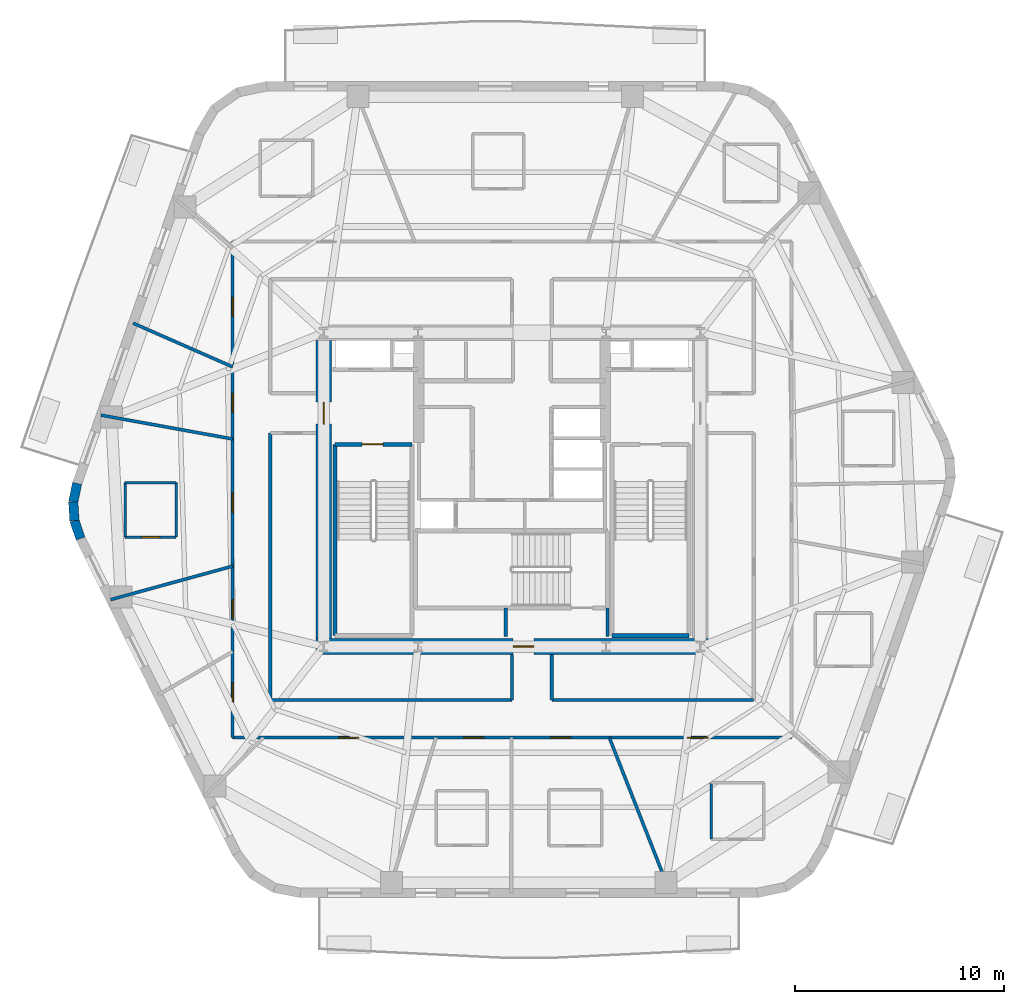
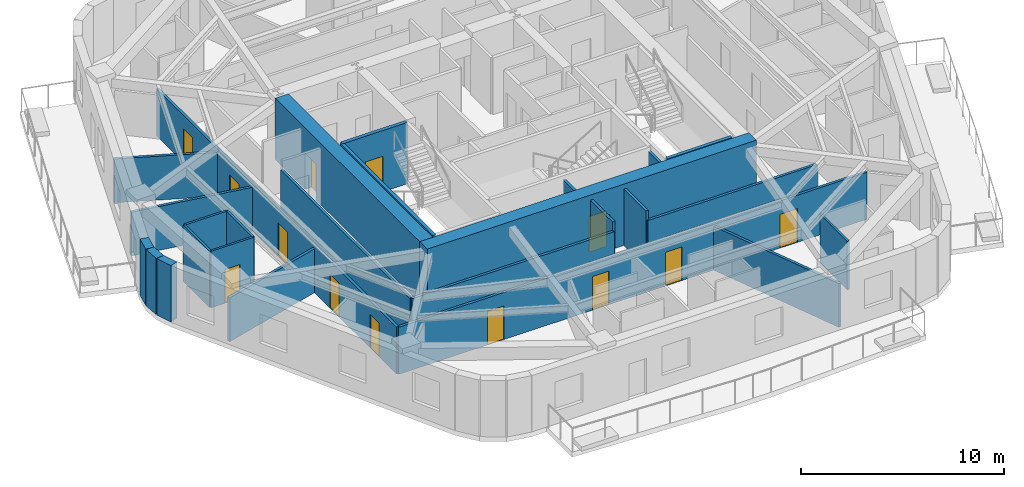
# One storey, part 3 of 11: 26 walls, 13 doors, 13 openings.
"""IFC4 building model written with IfcOpenShell, lengths in metres."""

from ifc_helpers import new_model, si_unit, direction, frame, frame_2d, origin, place, context, subcontext, project, spatial, rectangle, extrude, material, layer, layer_set, type_object, element, fill, save


model = new_model("IFC4")

# Units and contexts
model_context = context("Model", 3, precision=1e-05, world=origin(), true_north=direction((0.0, 1.0)))
body_context = subcontext(model_context, "Body", "Model", "MODEL_VIEW")
ifc_project = project(units=[si_unit("LENGTHUNIT", "METRE"), si_unit("AREAUNIT", "SQUARE_METRE"), si_unit("VOLUMEUNIT", "CUBIC_METRE"), si_unit("PLANEANGLEUNIT", "RADIAN"), si_unit("MASSUNIT", "GRAM", prefix="KILO")], contexts=[model_context])

# Site, building, storey
site_placement = place(None, origin())
site = spatial("IfcSite", under=ifc_project, at=site_placement, CompositionType="ELEMENT")
building_placement = place(site_placement, origin())
building = spatial("IfcBuilding", under=site, at=building_placement, Name="Kilnhurst Terrace Hotel", CompositionType="ELEMENT")
storey_placement = place(building_placement, frame((0.0, 0.0, 194.10009765625)))
storey = spatial("IfcBuildingStorey", under=building, at=storey_placement, Name="L48", CompositionType="ELEMENT", Elevation=194.10009765625)

# Walls
ifc_material_1 = material(Name="Precast concrete C40/50", Category="concrete")
ifc_layer_1 = layer(ifc_material_1, 0.449951171875, Name="Precast concrete C40/50")
ifc_layer_set_1 = layer_set([ifc_layer_1], Name="Precast concrete C40/50")
wall_type_1 = type_object("IfcWallType", Name="WL-BRK-450", PredefinedType="SOLIDWALL", material=ifc_layer_set_1)
wall_1_placement = place(storey_placement, frame((-20.78173828125, 0.298095703125, 0.0), z_axis=(0.0, 0.0, 1.0), x_axis=(-0.202570068411, -0.979267771033, 0.0)))
element("IfcWall", 1, at=wall_1_placement, inside=storey, type_object=wall_type_1, Name="L48 Rounded Corner Brick Wall C6.1", PredefinedType="SOLIDWALL", context=body_context, shape_type="SweptSolid", body=[
    extrude(rectangle(XDim=0.90869140625, YDim=0.449951171875, at=frame_2d((0.454345703125, 0.0))), origin(), (0.0, 0.0, 1.0), 3.39990234375),
])
wall_2_placement = place(storey_placement, frame((-20.9658203125, -0.591796875, 0.0), z_axis=(0.0, 0.0, 1.0), x_axis=(0.061748898935, -0.998091715966, 0.0)))
element("IfcWall", 2, at=wall_2_placement, inside=storey, type_object=wall_type_1, Name="L48 Rounded Corner Brick Wall C6.2", PredefinedType="SOLIDWALL", context=body_context, shape_type="SweptSolid", body=[
    extrude(rectangle(XDim=0.8935546875, YDim=0.449951171875, at=frame_2d((0.44677734375, 0.0))), origin(), (0.0, 0.0, 1.0), 3.39990234375),
])
wall_3_placement = place(storey_placement, frame((-20.91064453125, -1.483642578125, 0.0), z_axis=(0.0, 0.0, 1.0), x_axis=(0.321623334353, -0.946867694453, 0.0)))
element("IfcWall", 3, at=wall_3_placement, inside=storey, type_object=wall_type_1, Name="L48 Rounded Corner Brick Wall C6.3", PredefinedType="SOLIDWALL", context=body_context, shape_type="SweptSolid", body=[
    extrude(rectangle(XDim=0.90869140625, YDim=0.449951171875, at=frame_2d((0.454345703125, 0.0))), origin(), (0.0, 0.0, 1.0), 3.39990234375),
])

# Wall, openings, doors
ifc_material_2 = material(Name="Acoustic Double-Gypsum Corridor Partition Assembly")
ifc_layer_2 = layer(ifc_material_2, 0.14990234375, Name="Acoustic Double-Gypsum Corridor Partition Assembly")
ifc_layer_set_2 = layer_set([ifc_layer_2], Name="Acoustic Double-Gypsum Corridor Partition Assembly")
wall_type_2 = type_object("IfcWallType", Name="WL-COR-150", PredefinedType="PARTITIONING", material=ifc_layer_set_2)
wall_4_placement = place(storey_placement, frame((13.35009765625, -11.85009765625, 0.0), z_axis=(0.0, 0.0, 1.0), x_axis=(-1.0, 0.0, 0.0)))
wall_4 = element("IfcWall", 4, at=wall_4_placement, inside=storey, type_object=wall_type_2, Name="L48 Interior Wall WL-L48-COR-01", PredefinedType="PARTITIONING", context=body_context, shape_type="SweptSolid", body=[
    extrude(rectangle(XDim=26.7001953125, YDim=0.14990234375, at=frame_2d((13.35009765625, 0.0))), origin(), (0.0, 0.0, 1.0), 2.83984375),
])
opening_1_placement = place(wall_4_placement, frame((20.681884765625, 0.0, 0.0)))
opening_1 = element("IfcOpeningElement", 5, at=opening_1_placement, cuts=wall_4, Name="Opening D-60B", PredefinedType="OPENING", context=body_context, shape_type="SweptSolid", body=[
    extrude(rectangle(XDim=0.949951171875, YDim=2.030029296875, at=frame_2d((0.47509765625, 1.01513671875))), frame((0.0, 0.0849609375, 0.0), z_axis=(0.0, -1.0, 0.0), x_axis=(1.0, 0.0, 0.0)), (0.0, 0.0, 1.0), 0.169921875),
])
opening_2_placement = place(wall_4_placement, frame((14.7080078125, 0.0, 0.0)))
opening_2 = element("IfcOpeningElement", 6, at=opening_2_placement, cuts=wall_4, Name="Opening D-60B", PredefinedType="OPENING", context=body_context, shape_type="SweptSolid", body=[
    extrude(rectangle(XDim=0.949951171875, YDim=2.030029296875, at=frame_2d((0.47509765625, 1.01513671875))), frame((0.0, 0.0849609375, 0.0), z_axis=(0.0, -1.0, 0.0), x_axis=(1.0, 0.0, 0.0)), (0.0, 0.0, 1.0), 0.169921875),
])
opening_3_placement = place(wall_4_placement, frame((10.552978515625, 0.0, 0.0)))
opening_3 = element("IfcOpeningElement", 7, at=opening_3_placement, cuts=wall_4, Name="Opening D-60B", PredefinedType="OPENING", context=body_context, shape_type="SweptSolid", body=[
    extrude(rectangle(XDim=0.949951171875, YDim=2.030029296875, at=frame_2d((0.47509765625, 1.01513671875))), frame((0.0, 0.0849609375, 0.0), z_axis=(0.0, -1.0, 0.0), x_axis=(1.0, 0.0, 0.0)), (0.0, 0.0, 1.0), 0.169921875),
])
opening_4_placement = place(wall_4_placement, frame((3.969970703125, 0.0, 0.0)))
opening_4 = element("IfcOpeningElement", 8, at=opening_4_placement, cuts=wall_4, Name="Opening D-60A", PredefinedType="OPENING", context=body_context, shape_type="SweptSolid", body=[
    extrude(rectangle(XDim=1.0, YDim=2.030029296875, at=frame_2d((0.5, 1.01513671875))), frame((0.0, 0.0849609375, 0.0), z_axis=(0.0, -1.0, 0.0), x_axis=(1.0, 0.0, 0.0)), (0.0, 0.0, 1.0), 0.169921875),
])
ifc_material_3 = material(Name="Acoustic Walnut Veneer Solid-Core Fire Door")
door_type_1 = type_object("IfcDoorType", Name="DR-FD60-1000", OperationType="NOTDEFINED", PredefinedType="DOOR", material=ifc_material_3)
door_1_placement = place(opening_4_placement, origin())
door_1 = element("IfcDoor", 9, at=door_1_placement, inside=storey, type_object=door_type_1, Name="L48 Sky Residence Entry Door 15", OperationType="SINGLE_SWING_LEFT", OverallHeight=2.030029296875, OverallWidth=1.0, PredefinedType="DOOR", context=body_context, shape_type="SweptSolid", body=[
    extrude(rectangle(XDim=1.0, YDim=2.030029296875, at=frame_2d((0.5, 1.01513671875))), frame((0.0, 0.02490234375, 0.0), z_axis=(0.0, -1.0, 0.0), x_axis=(1.0, 0.0, 0.0)), (0.0, 0.0, 1.0), 0.050048828125),
])
fill(opening_4, door_1)
door_type_2 = type_object("IfcDoorType", Name="DR-FD60-950", OperationType="NOTDEFINED", PredefinedType="DOOR", material=ifc_material_3)
door_2_placement = place(opening_1_placement, origin())
door_2 = element("IfcDoor", 10, at=door_2_placement, inside=storey, type_object=door_type_2, Name="L48 Botanical Study Library Door", OperationType="SINGLE_SWING_RIGHT", OverallHeight=2.030029296875, OverallWidth=0.949951171875, PredefinedType="DOOR", context=body_context, shape_type="SweptSolid", body=[
    extrude(rectangle(XDim=0.949951171875, YDim=2.030029296875, at=frame_2d((0.47509765625, 1.01513671875))), frame((0.0, 0.02490234375, 0.0), z_axis=(0.0, -1.0, 0.0), x_axis=(1.0, 0.0, 0.0)), (0.0, 0.0, 1.0), 0.050048828125),
])
fill(opening_1, door_2)
door_3_placement = place(opening_2_placement, origin())
door_3 = element("IfcDoor", 11, at=door_3_placement, inside=storey, type_object=door_type_2, Name="L48 Guest Room Entry Door 13", OperationType="SINGLE_SWING_LEFT", OverallHeight=2.030029296875, OverallWidth=0.949951171875, PredefinedType="DOOR", context=body_context, shape_type="SweptSolid", body=[
    extrude(rectangle(XDim=0.949951171875, YDim=2.030029296875, at=frame_2d((0.47509765625, 1.01513671875))), frame((0.0, 0.02490234375, 0.0), z_axis=(0.0, -1.0, 0.0), x_axis=(1.0, 0.0, 0.0)), (0.0, 0.0, 1.0), 0.050048828125),
])
fill(opening_2, door_3)
door_4_placement = place(opening_3_placement, origin())
door_4 = element("IfcDoor", 12, at=door_4_placement, inside=storey, type_object=door_type_2, Name="L48 Guest Room Entry Door 14", OperationType="SINGLE_SWING_RIGHT", OverallHeight=2.030029296875, OverallWidth=0.949951171875, PredefinedType="DOOR", context=body_context, shape_type="SweptSolid", body=[
    extrude(rectangle(XDim=0.949951171875, YDim=2.030029296875, at=frame_2d((0.47509765625, 1.01513671875))), frame((0.0, 0.02490234375, 0.0), z_axis=(0.0, -1.0, 0.0), x_axis=(1.0, 0.0, 0.0)), (0.0, 0.0, 1.0), 0.050048828125),
])
fill(opening_3, door_4)

wall_5_placement = place(storey_placement, frame((-13.35009765625, -11.85009765625, 0.0), z_axis=(0.0, 0.0, 1.0), x_axis=(0.0, 1.0, 0.0)))
wall_5 = element("IfcWall", 13, at=wall_5_placement, inside=storey, type_object=wall_type_2, Name="L48 Interior Wall WL-L48-COR-02", PredefinedType="PARTITIONING", context=body_context, shape_type="SweptSolid", body=[
    extrude(rectangle(XDim=23.7001953125, YDim=0.14990234375, at=frame_2d((11.85009765625, 0.0))), origin(), (0.0, 0.0, 1.0), 2.83984375),
])
opening_5_placement = place(wall_5_placement, frame((20.135986328125, 0.0, 0.0)))
opening_5 = element("IfcOpeningElement", 14, at=opening_5_placement, cuts=wall_5, Name="Opening D-60C", PredefinedType="OPENING", context=body_context, shape_type="SweptSolid", body=[
    extrude(rectangle(XDim=0.89990234375, YDim=2.030029296875, at=frame_2d((0.449951171875, 1.01513671875))), frame((0.0, 0.0849609375, 0.0), z_axis=(0.0, -1.0, 0.0), x_axis=(1.0, 0.0, 0.0)), (0.0, 0.0, 1.0), 0.169921875),
])
opening_6_placement = place(wall_5_placement, frame((15.551025390625, 0.0, 0.0)))
opening_6 = element("IfcOpeningElement", 15, at=opening_6_placement, cuts=wall_5, Name="Opening D-60C", PredefinedType="OPENING", context=body_context, shape_type="SweptSolid", body=[
    extrude(rectangle(XDim=0.89990234375, YDim=2.030029296875, at=frame_2d((0.449951171875, 1.01513671875))), frame((0.0, 0.0849609375, 0.0), z_axis=(0.0, -1.0, 0.0), x_axis=(1.0, 0.0, 0.0)), (0.0, 0.0, 1.0), 0.169921875),
])
opening_7_placement = place(wall_5_placement, frame((10.7509765625, 0.0, 0.0)))
opening_7 = element("IfcOpeningElement", 16, at=opening_7_placement, cuts=wall_5, Name="Opening D-60B", PredefinedType="OPENING", context=body_context, shape_type="SweptSolid", body=[
    extrude(rectangle(XDim=0.949951171875, YDim=2.030029296875, at=frame_2d((0.47509765625, 1.01513671875))), frame((0.0, 0.0849609375, 0.0), z_axis=(0.0, -1.0, 0.0), x_axis=(1.0, 0.0, 0.0)), (0.0, 0.0, 1.0), 0.169921875),
])
opening_8_placement = place(wall_5_placement, frame((5.677001953125, 0.0, 0.0)))
opening_8 = element("IfcOpeningElement", 17, at=opening_8_placement, cuts=wall_5, Name="Opening D-60C", PredefinedType="OPENING", context=body_context, shape_type="SweptSolid", body=[
    extrude(rectangle(XDim=0.89990234375, YDim=2.030029296875, at=frame_2d((0.449951171875, 1.01513671875))), frame((0.0, 0.0849609375, 0.0), z_axis=(0.0, -1.0, 0.0), x_axis=(1.0, 0.0, 0.0)), (0.0, 0.0, 1.0), 0.169921875),
])
opening_9_placement = place(wall_5_placement, frame((1.720947265625, 0.0, 0.0)))
opening_9 = element("IfcOpeningElement", 18, at=opening_9_placement, cuts=wall_5, Name="Opening D-60C", PredefinedType="OPENING", context=body_context, shape_type="SweptSolid", body=[
    extrude(rectangle(XDim=0.89990234375, YDim=2.030029296875, at=frame_2d((0.449951171875, 1.01513671875))), frame((0.0, 0.0849609375, 0.0), z_axis=(0.0, -1.0, 0.0), x_axis=(1.0, 0.0, 0.0)), (0.0, 0.0, 1.0), 0.169921875),
])
ifc_material_4 = material(Name="Painted Solid-Core Service Fire Door")
door_type_3 = type_object("IfcDoorType", Name="DR-FD60-900", OperationType="NOTDEFINED", PredefinedType="DOOR", material=ifc_material_4)
door_5_placement = place(opening_5_placement, origin())
door_5 = element("IfcDoor", 19, at=door_5_placement, inside=storey, type_object=door_type_3, Name="L48 Botanical Reading Lounge Door 7", OperationType="SINGLE_SWING_LEFT", OverallHeight=2.030029296875, OverallWidth=0.89990234375, PredefinedType="DOOR", context=body_context, shape_type="SweptSolid", body=[
    extrude(rectangle(XDim=0.89990234375, YDim=2.030029296875, at=frame_2d((0.449951171875, 1.01513671875))), frame((0.0, 0.02490234375, 0.0), z_axis=(0.0, -1.0, 0.0), x_axis=(1.0, 0.0, 0.0)), (0.0, 0.0, 1.0), 0.050048828125),
])
fill(opening_5, door_5)
door_6_placement = place(opening_6_placement, origin())
door_6 = element("IfcDoor", 20, at=door_6_placement, inside=storey, type_object=door_type_3, Name="L48 Private Meeting Salon Door 8", OperationType="SINGLE_SWING_RIGHT", OverallHeight=2.030029296875, OverallWidth=0.89990234375, PredefinedType="DOOR", context=body_context, shape_type="SweptSolid", body=[
    extrude(rectangle(XDim=0.89990234375, YDim=2.030029296875, at=frame_2d((0.449951171875, 1.01513671875))), frame((0.0, 0.02490234375, 0.0), z_axis=(0.0, -1.0, 0.0), x_axis=(1.0, 0.0, 0.0)), (0.0, 0.0, 1.0), 0.050048828125),
])
fill(opening_6, door_6)
door_7_placement = place(opening_8_placement, origin())
door_7 = element("IfcDoor", 21, at=door_7_placement, inside=storey, type_object=door_type_3, Name="L48 Wellness Consultation Room Door 10", OperationType="SINGLE_SWING_RIGHT", OverallHeight=2.030029296875, OverallWidth=0.89990234375, PredefinedType="DOOR", context=body_context, shape_type="SweptSolid", body=[
    extrude(rectangle(XDim=0.89990234375, YDim=2.030029296875, at=frame_2d((0.449951171875, 1.01513671875))), frame((0.0, 0.02490234375, 0.0), z_axis=(0.0, -1.0, 0.0), x_axis=(1.0, 0.0, 0.0)), (0.0, 0.0, 1.0), 0.050048828125),
])
fill(opening_8, door_7)
door_8_placement = place(opening_9_placement, origin())
door_8 = element("IfcDoor", 22, at=door_8_placement, inside=storey, type_object=door_type_3, Name="L48 Private Tasting Dining Room Door 11", OperationType="SINGLE_SWING_LEFT", OverallHeight=2.030029296875, OverallWidth=0.89990234375, PredefinedType="DOOR", context=body_context, shape_type="SweptSolid", body=[
    extrude(rectangle(XDim=0.89990234375, YDim=2.030029296875, at=frame_2d((0.449951171875, 1.01513671875))), frame((0.0, 0.02490234375, 0.0), z_axis=(0.0, -1.0, 0.0), x_axis=(1.0, 0.0, 0.0)), (0.0, 0.0, 1.0), 0.050048828125),
])
fill(opening_9, door_8)
door_9_placement = place(opening_7_placement, origin())
door_9 = element("IfcDoor", 23, at=door_9_placement, inside=storey, type_object=door_type_2, Name="L48 Executive Suite Entry Door 9", OperationType="SINGLE_SWING_LEFT", OverallHeight=2.030029296875, OverallWidth=0.949951171875, PredefinedType="DOOR", context=body_context, shape_type="SweptSolid", body=[
    extrude(rectangle(XDim=0.949951171875, YDim=2.030029296875, at=frame_2d((0.47509765625, 1.01513671875))), frame((0.0, 0.02490234375, 0.0), z_axis=(0.0, -1.0, 0.0), x_axis=(1.0, 0.0, 0.0)), (0.0, 0.0, 1.0), 0.050048828125),
])
fill(opening_7, door_9)

# Walls
wall_6_placement = place(storey_placement, frame((-11.550048828125, 2.699951171875, 0.0), z_axis=(0.0, 0.0, 1.0), x_axis=(0.0, -1.0, 0.0)))
element("IfcWall", 24, at=wall_6_placement, inside=storey, type_object=wall_type_2, Name="L48 Interior Wall WL-L48-COR-16", PredefinedType="PARTITIONING", context=body_context, shape_type="SweptSolid", body=[
    extrude(rectangle(XDim=12.75, YDim=0.14990234375, at=frame_2d((6.375, 0.0))), origin(), (0.0, 0.0, 1.0), 2.83984375),
])
wall_7_placement = place(storey_placement, frame((-11.550048828125, -10.050048828125, 0.0), z_axis=(0.0, 0.0, 1.0), x_axis=(1.0, 0.0, 0.0)))
element("IfcWall", 25, at=wall_7_placement, inside=storey, type_object=wall_type_2, Name="L48 Interior Wall WL-L48-COR-17", PredefinedType="PARTITIONING", context=body_context, shape_type="SweptSolid", body=[
    extrude(rectangle(XDim=11.550048828125, YDim=0.14990234375, at=frame_2d((5.77490234375, 0.0))), origin(), (0.0, 0.0, 1.0), 2.83984375),
])
for number, where, z_axis, x_axis, name in (
    (26, (0.0, -10.050048828125, 0.0), (0.0, 0.0, 1.0), (0.0, 1.0, 0.0), "L48 Interior Wall WL-L48-COR-18"),
    (27, (1.89990234375, -7.875, 0.0), (0.0, 0.0, 1.0), (0.0, -1.0, 0.0), "L48 Interior Wall WL-L48-COR-19"),
):
    element("IfcWall", number, at=place(storey_placement, frame(where, z_axis=z_axis, x_axis=x_axis)), inside=storey, type_object=wall_type_2, Name=name, PredefinedType="PARTITIONING", context=body_context, shape_type="SweptSolid", body=[
        extrude(rectangle(XDim=2.175048828125, YDim=0.14990234375, at=frame_2d((1.08740234375, 0.0))), origin(), (0.0, 0.0, 1.0), 3.39990234375),
    ])
wall_8_placement = place(storey_placement, frame((1.89990234375, -10.050048828125, 0.0), z_axis=(0.0, 0.0, 1.0), x_axis=(1.0, 0.0, 0.0)))
element("IfcWall", 28, at=wall_8_placement, inside=storey, type_object=wall_type_2, Name="L48 Interior Wall WL-L48-COR-20", PredefinedType="PARTITIONING", context=body_context, shape_type="SweptSolid", body=[
    extrude(rectangle(XDim=9.650146484375, YDim=0.14990234375, at=frame_2d((4.8251953125, 0.0))), origin(), (0.0, 0.0, 1.0), 2.83984375),
])

# Wall, opening, door
ifc_material_5 = material(Name="Concrete C60/75", Category="concrete")
ifc_layer_3 = layer(ifc_material_5, 0.75, Name="Concrete C60/75")
ifc_layer_set_3 = layer_set([ifc_layer_3], Name="Concrete C60/75")
wall_type_3 = type_object("IfcWallType", Name="WL-CORE-750", PredefinedType="SHEAR", material=ifc_layer_set_3)
wall_9_placement = place(storey_placement, frame((-9.375, -7.5, 0.0), z_axis=(0.0, 0.0, 1.0), x_axis=(1.0, 0.0, 0.0)))
wall_9 = element("IfcWall", 29, at=wall_9_placement, inside=storey, type_object=wall_type_3, Name="L48 Core South Shear Wall", PredefinedType="SHEAR", context=body_context, shape_type="SweptSolid", body=[
    extrude(rectangle(XDim=18.75, YDim=0.75, at=frame_2d((9.375, 0.0))), origin(), (0.0, 0.0, 1.0), 3.699951171875),
])
opening_10_placement = place(wall_9_placement, frame((9.425048828125, 0.0, 0.0)))
opening_10 = element("IfcOpeningElement", 30, at=opening_10_placement, cuts=wall_9, Name="Opening D-90B", PredefinedType="OPENING", context=body_context, shape_type="SweptSolid", body=[
    extrude(rectangle(XDim=1.0, YDim=2.14990234375, at=frame_2d((0.5, 1.074951171875))), frame((0.0, 0.385009765625, 0.0), z_axis=(0.0, -1.0, 0.0), x_axis=(1.0, 0.0, 0.0)), (0.0, 0.0, 1.0), 0.77001953125),
])
ifc_material_6 = material(Name="Painted Hollow Metal Steel ASTM A36 Fire Door", Category="steel")
door_type_4 = type_object("IfcDoorType", Name="DR-FD90-1000", OperationType="NOTDEFINED", PredefinedType="DOOR", material=ifc_material_6)
door_10_placement = place(opening_10_placement, origin())
door_10 = element("IfcDoor", 31, at=door_10_placement, inside=storey, type_object=door_type_4, Name="L48 Stair ST-3 Corridor Door", OperationType="SINGLE_SWING_RIGHT", OverallHeight=2.14990234375, OverallWidth=1.0, PredefinedType="DOOR", context=body_context, shape_type="SweptSolid", body=[
    extrude(rectangle(XDim=1.0, YDim=2.14990234375, at=frame_2d((0.5, 1.074951171875))), frame((0.0, 0.02490234375, 0.0), z_axis=(0.0, -1.0, 0.0), x_axis=(1.0, 0.0, 0.0)), (0.0, 0.0, 1.0), 0.050048828125),
])
fill(opening_10, door_10)

wall_10_placement = place(storey_placement, frame((-9.0, -7.125, 0.0), z_axis=(0.0, 0.0, 1.0), x_axis=(0.0, 1.0, 0.0)))
wall_10 = element("IfcWall", 32, at=wall_10_placement, inside=storey, type_object=wall_type_3, Name="L48 Core West Shear Wall", PredefinedType="SHEAR", context=body_context, shape_type="SweptSolid", body=[
    extrude(rectangle(XDim=14.25, YDim=0.75, at=frame_2d((7.125, 0.0))), origin(), (0.0, 0.0, 1.0), 3.699951171875),
])
opening_11_placement = place(wall_10_placement, frame((10.25, 0.0, 0.0)))
opening_11 = element("IfcOpeningElement", 33, at=opening_11_placement, cuts=wall_10, Name="Opening D-90A", PredefinedType="OPENING", context=body_context, shape_type="SweptSolid", body=[
    extrude(rectangle(XDim=1.050048828125, YDim=2.14990234375, at=frame_2d((0.52490234375, 1.074951171875))), frame((0.0, 0.385009765625, 0.0), z_axis=(0.0, -1.0, 0.0), x_axis=(1.0, 0.0, 0.0)), (0.0, 0.0, 1.0), 0.77001953125),
])
door_type_5 = type_object("IfcDoorType", Name="DR-FD90-1050", OperationType="NOTDEFINED", PredefinedType="DOOR", material=ifc_material_6)
door_11_placement = place(opening_11_placement, origin())
door_11 = element("IfcDoor", 34, at=door_11_placement, inside=storey, type_object=door_type_5, Name="L48 West Firefighting Lobby Door", OperationType="SINGLE_SWING_RIGHT", OverallHeight=2.14990234375, OverallWidth=1.050048828125, PredefinedType="DOOR", context=body_context, shape_type="SweptSolid", body=[
    extrude(rectangle(XDim=1.050048828125, YDim=2.14990234375, at=frame_2d((0.52490234375, 1.074951171875))), frame((0.0, 0.02490234375, 0.0), z_axis=(0.0, -1.0, 0.0), x_axis=(1.0, 0.0, 0.0)), (0.0, 0.0, 1.0), 0.050048828125),
])
fill(opening_11, door_11)

# Walls
ifc_material_7 = material(Name="STC-58 Acoustic Twin-Frame Guestroom Demising Partition")
ifc_layer_4 = layer(ifc_material_7, 0.14990234375, Name="STC-58 Acoustic Twin-Frame Guestroom Demising Partition")
ifc_layer_set_4 = layer_set([ifc_layer_4], Name="STC-58 Acoustic Twin-Frame Guestroom Demising Partition")
wall_type_4 = type_object("IfcWallType", Name="WL-DEM-150", PredefinedType="PARTITIONING", material=ifc_layer_set_4)
wall_11_placement = place(storey_placement, frame((-13.35009765625, 5.86279296875, 0.0), z_axis=(0.0, 0.0, 1.0), x_axis=(-0.9155832175, 0.402128551376, 0.0)))
element("IfcWall", 35, at=wall_11_placement, inside=storey, type_object=wall_type_4, Name="L48 Interior Wall WL-L48-DEM-MID05-08-1", PredefinedType="PARTITIONING", context=body_context, shape_type="SweptSolid", body=[
    extrude(rectangle(XDim=5.19091796875, YDim=0.14990234375, at=frame_2d((2.595458984375, 0.0))), origin(), (0.0, 0.0, 1.0), 2.639892578125),
])
wall_12_placement = place(storey_placement, frame((-13.35009765625, 2.417236328125, 0.0), z_axis=(0.0, 0.0, 1.0), x_axis=(-0.98399796473, 0.178179699761, 0.0)))
element("IfcWall", 36, at=wall_12_placement, inside=storey, type_object=wall_type_4, Name="L48 Interior Wall WL-L48-DEM-COL06-09-1", PredefinedType="PARTITIONING", context=body_context, shape_type="SweptSolid", body=[
    extrude(rectangle(XDim=6.393310546875, YDim=0.14990234375, at=frame_2d((3.19677734375, 0.0))), origin(), (0.0, 0.0, 1.0), 2.639892578125),
])
wall_13_placement = place(storey_placement, frame((-13.35009765625, -3.66064453125, 0.0), z_axis=(0.0, 0.0, 1.0), x_axis=(-0.964397145454, -0.264458211898, 0.0)))
element("IfcWall", 37, at=wall_13_placement, inside=storey, type_object=wall_type_4, Name="L48 Interior Wall WL-L48-DEM-COL07-10-1", PredefinedType="PARTITIONING", context=body_context, shape_type="SweptSolid", body=[
    extrude(rectangle(XDim=6.03857421875, YDim=0.14990234375, at=frame_2d((3.019287109375, 0.0))), origin(), (0.0, 0.0, 1.0), 2.639892578125),
])
wall_14_placement = place(storey_placement, frame((4.64990234375, -11.85009765625, 0.0), z_axis=(0.0, 0.0, 1.0), x_axis=(0.365265947993, -0.930903210456, 0.0)))
element("IfcWall", 38, at=wall_14_placement, inside=storey, type_object=wall_type_4, Name="L48 Interior Wall WL-L48-DEM-COL10-15-1", PredefinedType="PARTITIONING", context=body_context, shape_type="SweptSolid", body=[
    extrude(rectangle(XDim=7.975830078125, YDim=0.14990234375, at=frame_2d((3.98779296875, 0.0))), origin(), (0.0, 0.0, 1.0), 2.639892578125),
])

# Wall, opening, door
ifc_material_8 = material(Name="120 mm Moisture-Resistant Tile-Backed Bathroom Partition")
ifc_layer_5 = layer(ifc_material_8, 0.1201171875, Name="120 mm Moisture-Resistant Tile-Backed Bathroom Partition")
ifc_layer_set_5 = layer_set([ifc_layer_5], Name="120 mm Moisture-Resistant Tile-Backed Bathroom Partition")
wall_type_5 = type_object("IfcWallType", Name="WL-PART-120", PredefinedType="PARTITIONING", material=ifc_layer_set_5)
wall_15_placement = place(storey_placement, frame((-18.489990234375, -2.278076171875, 0.0), z_axis=(0.0, 0.0, 1.0), x_axis=(1.0, 0.0, 0.0)))
wall_15 = element("IfcWall", 39, at=wall_15_placement, inside=storey, type_object=wall_type_5, Name="L48 Interior Wall WL-L48-BTH-09-1", PredefinedType="PARTITIONING", context=body_context, shape_type="SweptSolid", body=[
    extrude(rectangle(XDim=2.43994140625, YDim=0.1201171875, at=frame_2d((1.219970703125, 0.0))), origin(), (0.0, 0.0, 1.0), 3.39990234375),
])
opening_12_placement = place(wall_15_placement, frame((0.794921875, 0.0, 0.0)))
opening_12 = element("IfcOpeningElement", 40, at=opening_12_placement, cuts=wall_15, Name="Opening D-08A", PredefinedType="OPENING", context=body_context, shape_type="SweptSolid", body=[
    extrude(rectangle(XDim=0.85009765625, YDim=2.030029296875, at=frame_2d((0.425048828125, 1.01513671875))), frame((0.0, 0.070068359375, 0.0), z_axis=(0.0, -1.0, 0.0), x_axis=(1.0, 0.0, 0.0)), (0.0, 0.0, 1.0), 0.14013671875),
])
ifc_material_9 = material(Name="Moisture-Resistant Lacquered En-suite Bathroom Door")
door_type_6 = type_object("IfcDoorType", Name="DR-INT-850", OperationType="NOTDEFINED", PredefinedType="DOOR", material=ifc_material_9)
door_12_placement = place(opening_12_placement, origin())
door_12 = element("IfcDoor", 41, at=door_12_placement, inside=storey, type_object=door_type_6, Name="L48 En-suite Bathroom Door 9", OperationType="SINGLE_SWING_RIGHT", OverallHeight=2.030029296875, OverallWidth=0.85009765625, PredefinedType="DOOR", context=body_context, shape_type="SweptSolid", body=[
    extrude(rectangle(XDim=0.85009765625, YDim=2.030029296875, at=frame_2d((0.425048828125, 1.01513671875))), frame((0.0, 0.02490234375, 0.0), z_axis=(0.0, -1.0, 0.0), x_axis=(1.0, 0.0, 0.0)), (0.0, 0.0, 1.0), 0.050048828125),
])
fill(opening_12, door_12)

# Walls
wall_16_placement = place(storey_placement, frame((-16.050048828125, -2.278076171875, 0.0), z_axis=(0.0, 0.0, 1.0), x_axis=(0.0, 1.0, 0.0)))
element("IfcWall", 42, at=wall_16_placement, inside=storey, type_object=wall_type_5, Name="L48 Interior Wall WL-L48-BTH-09-2", PredefinedType="PARTITIONING", context=body_context, shape_type="SweptSolid", body=[
    extrude(rectangle(XDim=2.610107421875, YDim=0.1201171875, at=frame_2d((1.30517578125, 0.0))), origin(), (0.0, 0.0, 1.0), 3.39990234375),
])
wall_17_placement = place(storey_placement, frame((-16.050048828125, 0.33203125, 0.0), z_axis=(0.0, 0.0, 1.0), x_axis=(-1.0, 0.0, 0.0)))
element("IfcWall", 43, at=wall_17_placement, inside=storey, type_object=wall_type_5, Name="L48 Interior Wall WL-L48-BTH-09-3", PredefinedType="PARTITIONING", context=body_context, shape_type="SweptSolid", body=[
    extrude(rectangle(XDim=2.43994140625, YDim=0.1201171875, at=frame_2d((1.219970703125, 0.0))), origin(), (0.0, 0.0, 1.0), 3.39990234375),
])
wall_18_placement = place(storey_placement, frame((-18.489990234375, 0.33203125, 0.0), z_axis=(0.0, 0.0, 1.0), x_axis=(0.0, -1.0, 0.0)))
element("IfcWall", 44, at=wall_18_placement, inside=storey, type_object=wall_type_5, Name="L48 Interior Wall WL-L48-BTH-09-4", PredefinedType="PARTITIONING", context=body_context, shape_type="SweptSolid", body=[
    extrude(rectangle(XDim=2.610107421875, YDim=0.1201171875, at=frame_2d((1.30517578125, 0.0))), origin(), (0.0, 0.0, 1.0), 3.39990234375),
])
wall_19_placement = place(storey_placement, frame((9.51611328125, -14.02197265625, 0.0), z_axis=(0.0, 0.0, 1.0), x_axis=(0.0, -1.0, 0.0)))
element("IfcWall", 45, at=wall_19_placement, inside=storey, type_object=wall_type_5, Name="L48 Interior Wall WL-L48-KIT-15-4", PredefinedType="PARTITIONING", context=body_context, shape_type="SweptSolid", body=[
    extrude(rectangle(XDim=2.679931640625, YDim=0.1201171875, at=frame_2d((1.33984375, 0.0))), origin(), (0.0, 0.0, 1.0), 2.926513671875),
])
ifc_material_10 = material(Name="Fire-Rated Gypsum Shaftliner Assembly")
ifc_layer_6 = layer(ifc_material_10, 0.14990234375, Name="Fire-Rated Gypsum Shaftliner Assembly")
ifc_layer_set_6 = layer_set([ifc_layer_6], Name="Fire-Rated Gypsum Shaftliner Assembly")
wall_type_6 = type_object("IfcWallType", Name="WL-SHAFT-150", PredefinedType="PARTITIONING", material=ifc_layer_set_6)
for number, where, z_axis, x_axis, name in (
    (46, (-0.300048828125, -7.02001953125, 0.0), (0.0, 0.0, 1.0), (0.0, 1.0, 0.0), "L48 Interior Wall WL-L48-ST3-PSGW"),
    (47, (4.55810546875, -7.02001953125, 0.0), (0.0, 0.0, 1.0), (0.0, 1.0, 0.0), "L48 Interior Wall WL-L48-ST3-PSGE"),
):
    element("IfcWall", number, at=place(storey_placement, frame(where, z_axis=z_axis, x_axis=x_axis)), inside=storey, type_object=wall_type_6, Name=name, PredefinedType="PARTITIONING", context=body_context, shape_type="SweptSolid", body=[
        extrude(rectangle(XDim=1.362060546875, YDim=0.14990234375, at=frame_2d((0.68115234375, 0.0))), origin(), (0.0, 0.0, 1.0), 3.39990234375),
    ])
ifc_material_11 = material(Name="Concrete C50/60", Category="concrete")
ifc_layer_7 = layer(ifc_material_11, 0.199951171875, Name="Concrete C50/60")
ifc_layer_set_7 = layer_set([ifc_layer_7], Name="Concrete C50/60")
wall_type_7 = type_object("IfcWallType", Name="WL-STAIR-RC-200", PredefinedType="SHEAR", material=ifc_layer_set_7)
wall_20_placement = place(storey_placement, frame((-8.4580078125, -6.985107421875, 0.0), z_axis=(0.0, 0.0, 1.0), x_axis=(0.0, 1.0, 0.0)))
element("IfcWall", 48, at=wall_20_placement, inside=storey, type_object=wall_type_7, Name="L48 Structural Stair Shaft Wall WL-L48-ST1-W", PredefinedType="SHEAR", context=body_context, shape_type="SweptSolid", body=[
    extrude(rectangle(XDim=9.14306640625, YDim=0.199951171875, at=frame_2d((4.571533203125, 0.0))), origin(), (0.0, 0.0, 1.0), 3.699951171875),
])

# Wall, opening, door
wall_21_placement = place(storey_placement, frame((-8.4580078125, 2.157958984375, 0.0), z_axis=(0.0, 0.0, 1.0), x_axis=(1.0, 0.0, 0.0)))
wall_21 = element("IfcWall", 49, at=wall_21_placement, inside=storey, type_object=wall_type_7, Name="L48 Structural Stair Shaft Wall WL-L48-ST1-N", PredefinedType="SHEAR", context=body_context, shape_type="SweptSolid", body=[
    extrude(rectangle(XDim=3.68603515625, YDim=0.199951171875, at=frame_2d((1.843017578125, 0.0))), origin(), (0.0, 0.0, 1.0), 3.699951171875),
])
opening_13_placement = place(wall_21_placement, frame((1.300048828125, 0.0, 0.0)))
opening_13 = element("IfcOpeningElement", 50, at=opening_13_placement, cuts=wall_21, Name="Opening D-90B", PredefinedType="OPENING", context=body_context, shape_type="SweptSolid", body=[
    extrude(rectangle(XDim=1.0, YDim=2.14990234375, at=frame_2d((0.5, 1.074951171875))), frame((0.0, 0.10986328125, 0.0), z_axis=(0.0, -1.0, 0.0), x_axis=(1.0, 0.0, 0.0)), (0.0, 0.0, 1.0), 0.219970703125),
])
door_13_placement = place(opening_13_placement, origin())
door_13 = element("IfcDoor", 51, at=door_13_placement, inside=storey, type_object=door_type_4, Name="L48 Stair ST-1 Door", OperationType="SINGLE_SWING_LEFT", OverallHeight=2.14990234375, OverallWidth=1.0, PredefinedType="DOOR", context=body_context, shape_type="SweptSolid", body=[
    extrude(rectangle(XDim=1.0, YDim=2.14990234375, at=frame_2d((0.5, 1.074951171875))), frame((0.0, 0.02490234375, 0.0), z_axis=(0.0, -1.0, 0.0), x_axis=(1.0, 0.0, 0.0)), (0.0, 0.0, 1.0), 0.050048828125),
])
fill(opening_13, door_13)

# Wall
wall_22_placement = place(storey_placement, frame((4.77197265625, -6.985107421875, 0.0), z_axis=(0.0, 0.0, 1.0), x_axis=(1.0, 0.0, 0.0)))
element("IfcWall", 52, at=wall_22_placement, inside=storey, type_object=wall_type_7, Name="L48 Structural Stair Shaft Wall WL-L48-ST2-S", PredefinedType="SHEAR", context=body_context, shape_type="SweptSolid", body=[
    extrude(rectangle(XDim=3.68603515625, YDim=0.199951171875, at=frame_2d((1.843017578125, 0.0))), origin(), (0.0, 0.0, 1.0), 3.699951171875),
])

save(model, "model.ifc")
